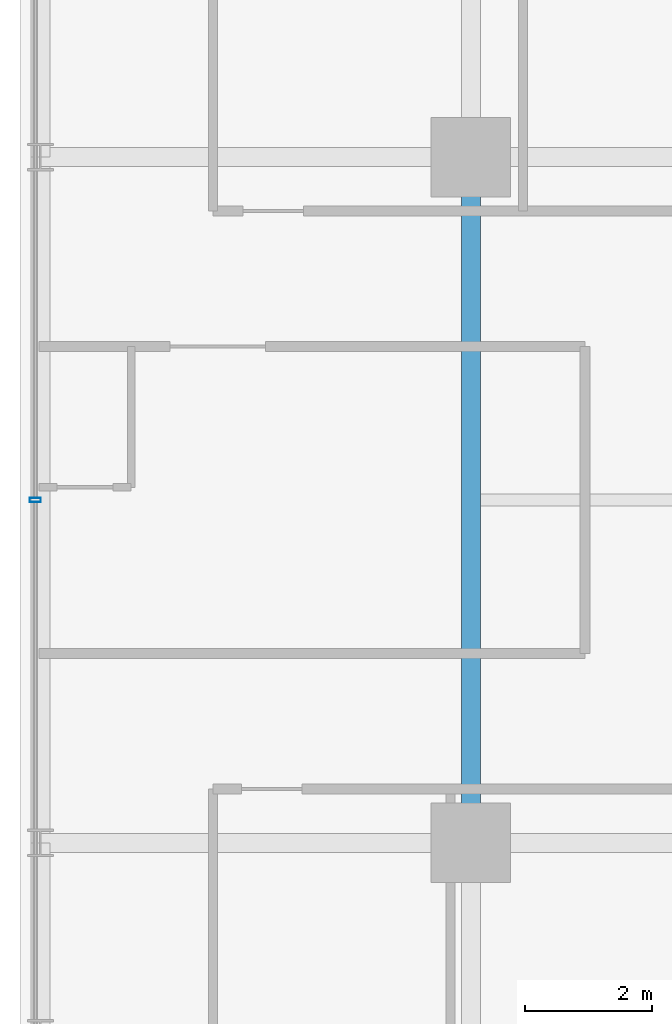
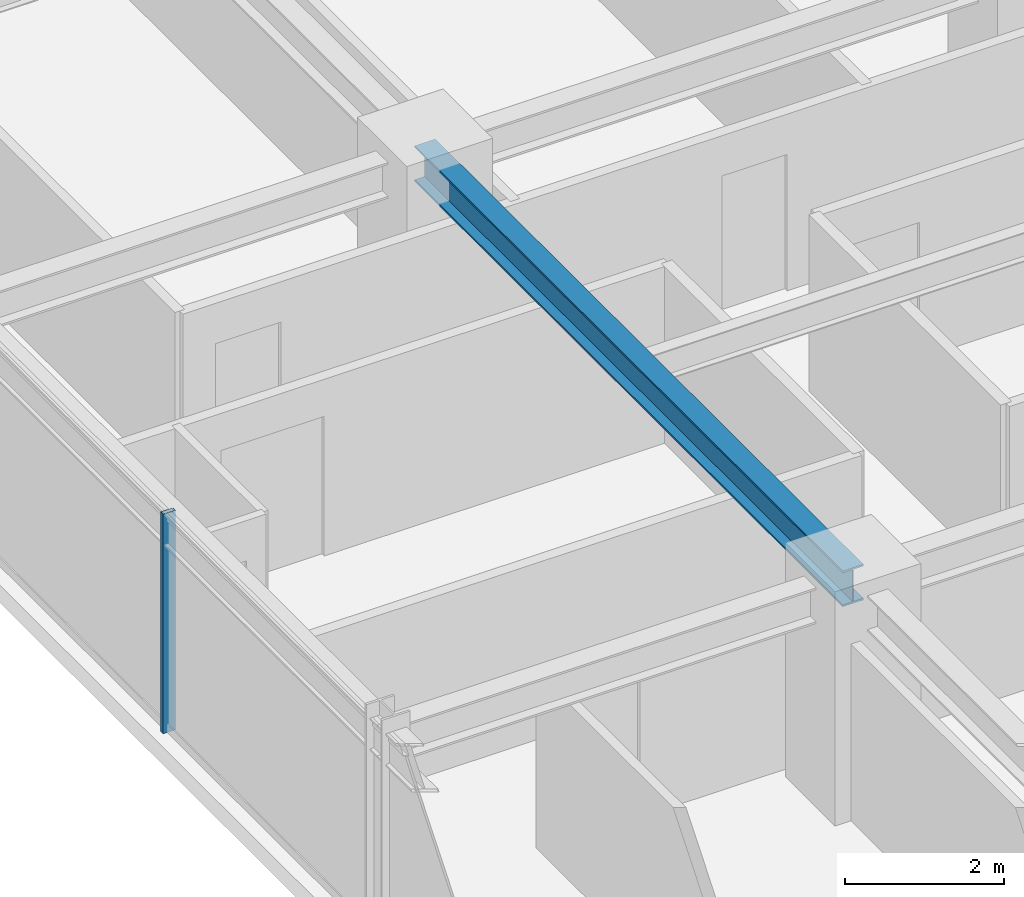
# One storey, part 9 of 32: 1 beam, 1 member, 1 element without a shape of its own.
"""IFC4 building model written with IfcOpenShell, lengths in metres."""

from ifc_helpers import new_model, si_unit, direction, frame, origin, origin_2d, place, context, subcontext, project, spatial, hollow_rectangle, i_section, extrude, source, transform, mapped, material, material_profile, profile_set, type_object, element, aggregate, save


model = new_model("IFC4")

# Units and contexts
model_context = context("Model", 3, precision=1e-05, world=origin(), true_north=direction((0.0, 1.0)))
body_context = subcontext(model_context, "Body", "Model", "MODEL_VIEW")
ifc_project = project(units=[si_unit("LENGTHUNIT", "METRE"), si_unit("AREAUNIT", "SQUARE_METRE"), si_unit("VOLUMEUNIT", "CUBIC_METRE"), si_unit("PLANEANGLEUNIT", "RADIAN"), si_unit("MASSUNIT", "GRAM", prefix="KILO")], contexts=[model_context])

# Site, building, storey
site_placement = place(None, origin())
site = spatial("IfcSite", under=ifc_project, at=site_placement, CompositionType="ELEMENT")
building_placement = place(site_placement, origin())
building = spatial("IfcBuilding", under=site, at=building_placement, Name="Nahalor Promenade Grand Hotel", CompositionType="ELEMENT")
storey_placement = place(building_placement, frame((0.0, 0.0, 102.89990234375)))
storey = spatial("IfcBuildingStorey", under=building, at=storey_placement, Name="L25", CompositionType="ELEMENT", Elevation=102.89990234375)

# Beam
ifc_material_1 = material(Name="Steel S355JR", Category="steel")
ifc_material_profile_1 = material_profile(ifc_material_1, i_section(OverallWidth=0.3, OverallDepth=0.55, WebThickness=0.015, FlangeThickness=0.029, at=origin_2d()), Name="HEB 550")
ifc_profile_set_1 = profile_set([ifc_material_profile_1], Name="Steel S355JR")
beam_type = type_object("IfcBeamType", Name="Beam-Girder-HEB550", PredefinedType="BEAM", material=ifc_profile_set_1)
shared_shape_1 = source(origin(), body_context, "Body", "SweptSolid", [
    extrude(i_section(OverallWidth=0.3, OverallDepth=0.55, WebThickness=0.015, FlangeThickness=0.029, at=origin_2d()), origin(), (0.0, 0.0, 1.0), 10.7998046875),
])
beam_placement = place(storey_placement, frame((-17.0, -5.39990234375, 3.10498046875), z_axis=(0.0, 1.0, 0.0), x_axis=(-1.0, 0.0, 0.0)))
element("IfcBeam", 1, at=beam_placement, inside=storey, type_object=beam_type, Name="BM-L25-GY-0-2", PredefinedType="BEAM", context=body_context, shape_type="MappedRepresentation", body=[
    mapped(shared_shape_1, transform((0.0, 0.0, 0.0), scale=1.0)),
])

# Curtain wall, member
ifc_material_2 = material(Name="Anodised Bronze Aluminium EN AW-6063 T6", Category="aluminium")
curtain_wall_type = type_object("IfcCurtainWallType", Name="CW2 Typical Hotel Flush Bronze Unitised Curtain Wall", PredefinedType="USERDEFINED", material=ifc_material_2)
curtain_wall_placement = place(storey_placement, origin())
curtain_wall = element("IfcCurtainWall", 2, at=curtain_wall_placement, inside=storey, type_object=curtain_wall_type, Name="L25 Curtain Wall CW-L25-W-1", ObjectType="UNITISED_CURTAIN_WALL", PredefinedType="USERDEFINED")
ifc_material_profile_2 = material_profile(ifc_material_2, hollow_rectangle(XDim=0.065, YDim=0.18, WallThickness=0.004, at=origin_2d()), Name="CWM 65x180x4")
ifc_profile_set_2 = profile_set([ifc_material_profile_2], Name="Anodised Bronze Aluminium EN AW-6063 T6")
member_type = type_object("IfcMemberType", Name="CWM2 Typical Bronze Mullion 65x180", PredefinedType="MULLION", material=ifc_profile_set_2)
shared_shape_2 = source(origin(), body_context, "Body", "SweptSolid", [
    extrude(hollow_rectangle(XDim=0.065, YDim=0.18, WallThickness=0.004, at=origin_2d()), origin(), (0.0, 0.0, 1.0), 3.380126953125),
])
member_placement = place(storey_placement, frame((-23.860107421875, 0.0, 0.0), z_axis=(0.0, 0.0, 1.0), x_axis=(0.0, 1.0, 0.0)))
member = element("IfcMember", 3, at=member_placement, type_object=member_type, Name="CW-L25-W-1 Mullion 2", PredefinedType="MULLION", context=body_context, shape_type="MappedRepresentation", body=[
    mapped(shared_shape_2, transform((0.0, 0.0, 0.0), scale=1.0)),
])
aggregate(curtain_wall, [member])

save(model, "model.ifc")
